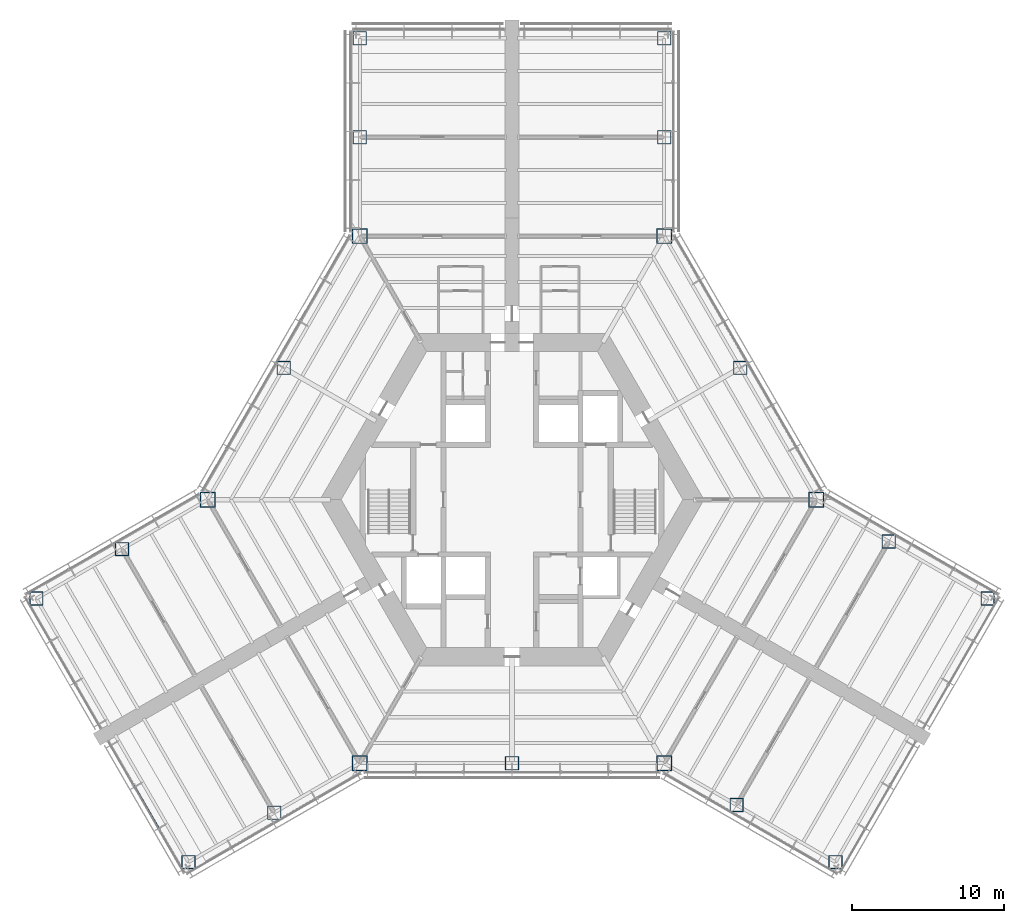
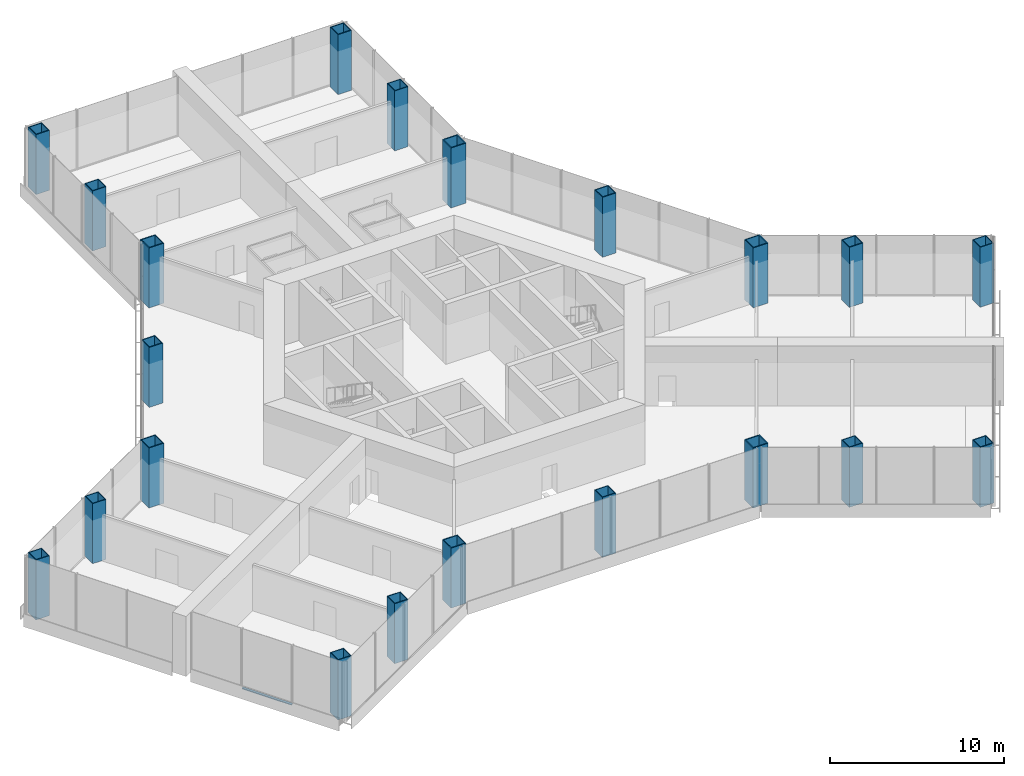
# One storey, part 1 of 15: 21 columns, 1 member, 1 element without a shape of its own.
"""IFC4 building model written with IfcOpenShell, lengths in metres."""

from ifc_helpers import new_model, si_unit, direction, frame, origin, origin_2d, place, context, subcontext, project, spatial, rectangle, hollow_rectangle, extrude, material, material_profile, profile_set, type_object, element, aggregate, save


model = new_model("IFC4")

# Units and contexts
model_context = context("Model", 3, precision=1e-05, world=origin(), true_north=direction((0.0, 1.0)))
body_context = subcontext(model_context, "Body", "Model", "MODEL_VIEW")
ifc_project = project(units=[si_unit("LENGTHUNIT", "METRE"), si_unit("AREAUNIT", "SQUARE_METRE"), si_unit("VOLUMEUNIT", "CUBIC_METRE"), si_unit("PLANEANGLEUNIT", "RADIAN"), si_unit("MASSUNIT", "GRAM", prefix="KILO")], contexts=[model_context])

# Site, building, storey
site_placement = place(None, origin())
site = spatial("IfcSite", under=ifc_project, at=site_placement, CompositionType="ELEMENT")
building_placement = place(site_placement, origin())
building = spatial("IfcBuilding", under=site, at=building_placement, Name="Kasaneha Research Tower", CompositionType="ELEMENT")
storey_placement = place(building_placement, frame((0.0, 0.0, 39.39990234375)))
storey = spatial("IfcBuildingStorey", under=building, at=storey_placement, Name="L10", CompositionType="ELEMENT", Elevation=39.39990234375)

# Columns
ifc_material_1 = material(Name="Steel SN490C", Category="steel")
ifc_material_profile_1 = material_profile(ifc_material_1, hollow_rectangle(XDim=1.0, YDim=1.0, WallThickness=0.06005859375, at=origin_2d()), Name="BOX-1000x1000x60")
ifc_profile_set_1 = profile_set([ifc_material_profile_1], Name="Steel SN490C")
column_type_1 = type_object("IfcColumnType", Name="C1A column BOX-1000x1000x60", PredefinedType="COLUMN", material=ifc_profile_set_1)
for number, where, z_axis, x_axis, name in (
    (1, (20.0, 0.0, 0.0), (0.0, 0.0, 1.0), (1.0, 0.0, 0.0), "Column V0 L10"),
    (2, (10.0, 17.320556640625, 0.0), (0.0, 0.0, 1.0), (1.0, 0.0, 0.0), "Column V1 L10"),
    (3, (-10.0, 17.320556640625, 0.0), (0.0, 0.0, 1.0), (1.0, 0.0, 0.0), "Column V2 L10"),
    (4, (-20.0, 0.0, 0.0), (0.0, 0.0, 1.0), (1.0, 0.0, 0.0), "Column V3 L10"),
    (5, (-10.0, -17.320556640625, 0.0), (0.0, 0.0, 1.0), (1.0, 0.0, 0.0), "Column V4 L10"),
    (6, (10.0, -17.320556640625, 0.0), (0.0, 0.0, 1.0), (1.0, 0.0, 0.0), "Column V5 L10"),
):
    element("IfcColumn", number, at=place(storey_placement, frame(where, z_axis=z_axis, x_axis=x_axis)), inside=storey, type_object=column_type_1, Name=name, PredefinedType="COLUMN", context=body_context, shape_type="SweptSolid", body=[
        extrude(hollow_rectangle(XDim=1.0, YDim=1.0, WallThickness=0.06005859375, at=origin_2d()), origin(), (0.0, 0.0, 1.0), 4.2001953125),
    ])
ifc_material_2 = material(Name="Steel SN490C", Category="steel")
ifc_material_profile_2 = material_profile(ifc_material_2, hollow_rectangle(XDim=0.89990234375, YDim=0.89990234375, WallThickness=0.050048828125, at=origin_2d()), Name="BOX-900x900x50")
ifc_profile_set_2 = profile_set([ifc_material_profile_2], Name="Steel SN490C")
column_type_2 = type_object("IfcColumnType", Name="C1B column BOX-900x900x50", PredefinedType="COLUMN", material=ifc_profile_set_2)
for number, where, z_axis, x_axis, name in (
    (7, (15.0, 8.66015625, 0.0), (0.0, 0.0, 1.0), (1.0, 0.0, 0.0), "Column M030 L10"),
    (8, (-15.0, 8.66015625, 0.0), (0.0, 0.0, 1.0), (1.0, 0.0, 0.0), "Column M150 L10"),
    (9, (0.0, -17.320556640625, 0.0), (0.0, 0.0, 1.0), (1.0, 0.0, 0.0), "Column M270 L10"),
    (10, (10.0, 23.820556640625, 0.0), (0.0, 0.0, 1.0), (1.0, 0.0, 0.0), "Column ASP L10"),
    (11, (10.0, 30.320556640625, 0.0), (0.0, 0.0, 1.0), (1.0, 0.0, 0.0), "Column ATP L10"),
    (12, (-10.0, 23.820556640625, 0.0), (0.0, 0.0, 1.0), (1.0, 0.0, 0.0), "Column ASN L10"),
    (13, (-10.0, 30.320556640625, 0.0), (0.0, 0.0, 1.0), (1.0, 0.0, 0.0), "Column ATN L10"),
    (14, (-25.629150390625, -3.25, 0.0), (0.0, 0.0, 1.0), (1.0, 0.0, 0.0), "Column BSP L10"),
    (15, (-31.25830078125, -6.5, 0.0), (0.0, 0.0, 1.0), (1.0, 0.0, 0.0), "Column BTP L10"),
    (16, (-15.629150390625, -20.570556640625, 0.0), (0.0, 0.0, 1.0), (1.0, 0.0, 0.0), "Column BSN L10"),
    (17, (-21.25830078125, -23.820556640625, 0.0), (0.0, 0.0, 1.0), (1.0, 0.0, 0.0), "Column BTN L10"),
    (18, (14.76318359375, -20.070556640625, 0.0), (0.0, 0.0, 1.0), (1.0, 0.0, 0.0), "Column CSP L10"),
    (19, (21.25830078125, -23.820556640625, 0.0), (0.0, 0.0, 1.0), (1.0, 0.0, 0.0), "Column CTP L10"),
    (20, (24.76318359375, -2.75, 0.0), (0.0, 0.0, 1.0), (1.0, 0.0, 0.0), "Column CSN L10"),
    (21, (31.25830078125, -6.5, 0.0), (0.0, 0.0, 1.0), (1.0, 0.0, 0.0), "Column CTN L10"),
):
    element("IfcColumn", number, at=place(storey_placement, frame(where, z_axis=z_axis, x_axis=x_axis)), inside=storey, type_object=column_type_2, Name=name, PredefinedType="COLUMN", context=body_context, shape_type="SweptSolid", body=[
        extrude(hollow_rectangle(XDim=0.89990234375, YDim=0.89990234375, WallThickness=0.050048828125, at=origin_2d()), origin(), (0.0, 0.0, 1.0), 4.2001953125),
    ])

# Curtain wall, member
ifc_material_3 = material(Name="Glass and aluminium", Category="aluminium")
curtain_wall_type = type_object("IfcCurtainWallType", Name="Dry laboratory curtain wall", PredefinedType="USERDEFINED", material=ifc_material_3)
curtain_wall_placement = place(storey_placement, origin())
curtain_wall = element("IfcCurtainWall", 22, at=curtain_wall_placement, inside=storey, type_object=curtain_wall_type, Name="CW-L2 L10 run 15a", ObjectType="UNITISED CURTAIN WALL", PredefinedType="USERDEFINED")
ifc_material_4 = material(Name="Aluminium 6063-T6", Category="aluminium")
ifc_material_profile_3 = material_profile(ifc_material_4, rectangle(XDim=0.14990234375, YDim=0.06494140625, at=origin_2d()), Name="CW-L2 transom 150x65")
ifc_profile_set_3 = profile_set([ifc_material_profile_3], Name="Aluminium 6063-T6")
member_type = type_object("IfcMemberType", Name="CW-L2 transom", PredefinedType="USERDEFINED", material=ifc_profile_set_3)
member_placement = place(storey_placement, frame((-24.86181640625, -18.779296875, 0.03271484375), z_axis=(0.50000765355, -0.86602098496, 0.0), x_axis=(0.86602098496, 0.50000765355, 0.0)))
member = element("IfcMember", 23, at=member_placement, type_object=member_type, Name="CW-L2 transom 2", ObjectType="TRANSOM", PredefinedType="USERDEFINED", context=body_context, shape_type="SweptSolid", body=[
    extrude(rectangle(XDim=0.14990234375, YDim=0.06494140625, at=origin_2d()), origin(), (0.0, 0.0, 1.0), 3.28515625),
])
aggregate(curtain_wall, [member])

save(model, "model.ifc")
